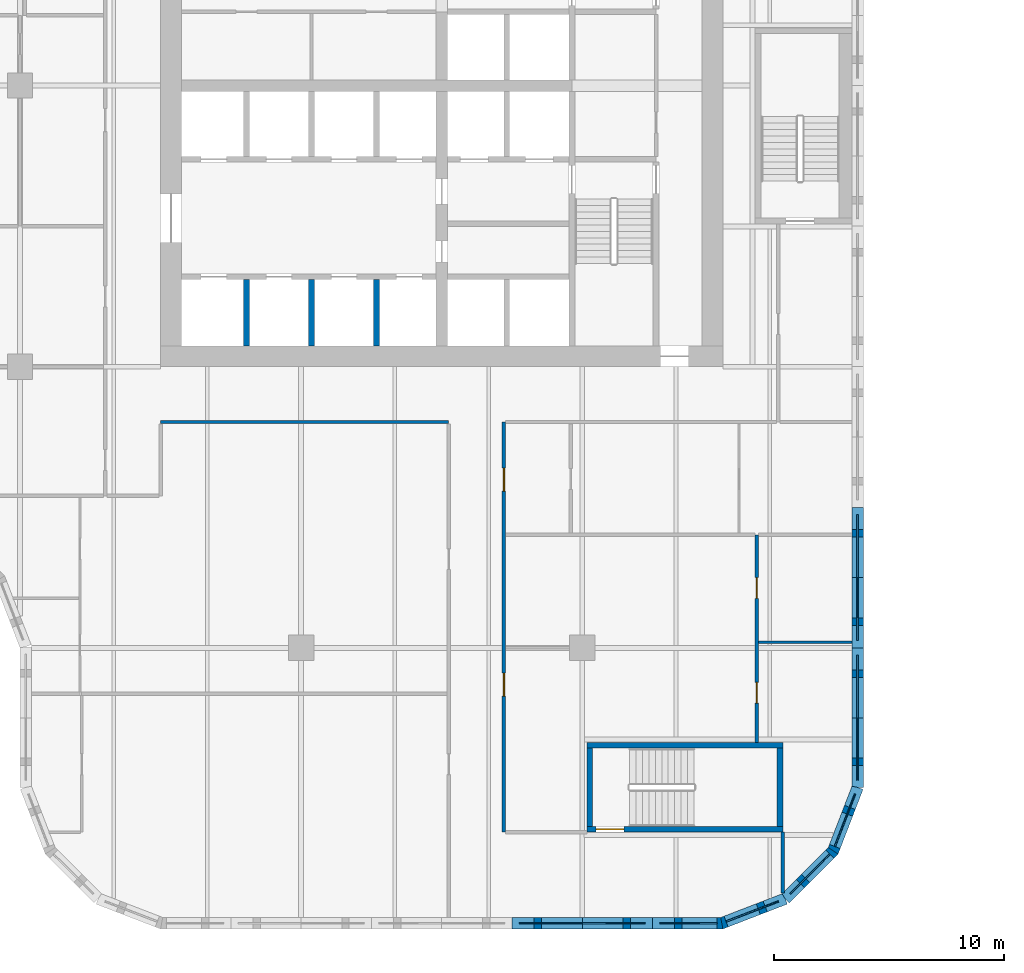
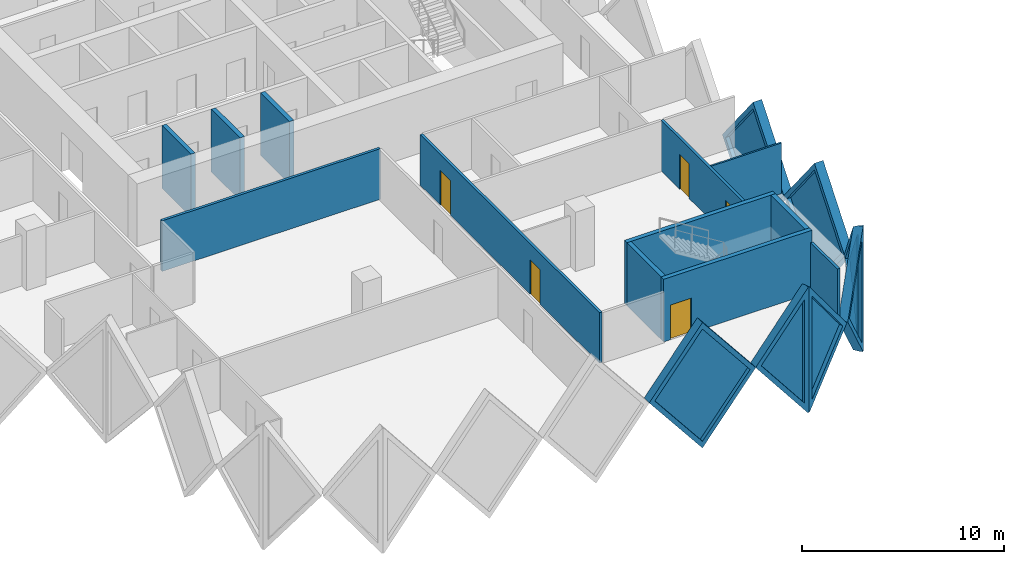
# One storey, part 6 of 19: 19 walls, 7 plates, 5 doors, 12 openings.
"""IFC4 building model written with IfcOpenShell, lengths in metres."""

from ifc_helpers import new_model, si_unit, direction, frame, frame_2d, origin, place, context, subcontext, project, spatial, polyline, rectangle, outline, extrude, faceted_brep, source, transform, mapped, material, layer, layer_set, type_object, element, fill, save


model = new_model("IFC4")

# Units and contexts
model_context = context("Model", 3, precision=1e-05, world=origin(), true_north=direction((0.0, 1.0)))
body_context = subcontext(model_context, "Body", "Model", "MODEL_VIEW")
ifc_project = project(units=[si_unit("LENGTHUNIT", "METRE"), si_unit("AREAUNIT", "SQUARE_METRE"), si_unit("VOLUMEUNIT", "CUBIC_METRE"), si_unit("PLANEANGLEUNIT", "RADIAN"), si_unit("MASSUNIT", "GRAM", prefix="KILO")], contexts=[model_context])

# Site, building, storey
site_placement = place(None, origin())
site = spatial("IfcSite", under=ifc_project, at=site_placement, CompositionType="ELEMENT")
building_placement = place(site_placement, origin())
building = spatial("IfcBuilding", under=site, at=building_placement, Name="Tessera Gate Towers", CompositionType="ELEMENT")
storey_placement = place(building_placement, frame((0.0, 0.0, 33.39990234375)))
storey = spatial("IfcBuildingStorey", under=building, at=storey_placement, Name="L07", CompositionType="ELEMENT", Elevation=33.39990234375)

# Walls
ifc_material_1 = material(Name="Concrete C40/50", Category="concrete")
ifc_layer_1 = layer(ifc_material_1, 0.25)
ifc_layer_set_1 = layer_set([ifc_layer_1], Name="CORE ENCLOSURE WALL 250")
wall_type_1 = type_object("IfcWallType", Name="CORE ENCLOSURE WALL 250", PredefinedType="SOLIDWALL", material=ifc_layer_set_1)
for number, where, z_axis, x_axis, name in (
    (1, (34.22509765625, 25.300048828125, 0.0), (0.0, 0.0, 1.0), (0.0, 1.0, 0.0), "L07 shaft and stair enclosure wall"),
    (2, (37.050048828125, 25.300048828125, 0.0), (0.0, 0.0, 1.0), (0.0, 1.0, 0.0), "L07 shaft and stair enclosure wall"),
    (3, (39.875, 25.300048828125, 0.0), (0.0, 0.0, 1.0), (0.0, 1.0, 0.0), "L07 shaft and stair enclosure wall"),
):
    element("IfcWall", number, at=place(storey_placement, frame(where, z_axis=z_axis, x_axis=x_axis)), inside=storey, type_object=wall_type_1, Name=name, PredefinedType="SOLIDWALL", context=body_context, shape_type="SweptSolid", body=[
        extrude(rectangle(XDim=2.875, YDim=0.25, at=frame_2d((1.4375, 0.0))), origin(), (0.0, 0.0, 1.0), 3.800048828125),
    ])

# Wall, opening, door
wall_1_placement = place(storey_placement, frame((57.5, 4.324951171875, 0.0), z_axis=(0.0, 0.0, 1.0), x_axis=(-1.0, 0.0, 0.0)))
wall_1 = element("IfcWall", 4, at=wall_1_placement, inside=storey, type_object=wall_type_1, Name="L07 ST4 enclosure wall", PredefinedType="SOLIDWALL", context=body_context, shape_type="SweptSolid", body=[
    extrude(rectangle(XDim=8.5, YDim=0.25, at=frame_2d((4.25, 0.0))), origin(), (0.0, 0.0, 1.0), 3.800048828125),
])
shared_shape_1 = source(origin(), body_context, "Body", "SweptSolid", [
    extrude(rectangle(XDim=1.199951171875, YDim=2.10009765625, at=frame_2d((0.60009765625, 1.050048828125))), frame((0.0, 0.135009765625, 0.0), z_axis=(0.0, -1.0, 0.0), x_axis=(1.0, 0.0, 0.0)), (0.0, 0.0, 1.0), 0.27001953125),
])
opening_1_placement = place(wall_1_placement, frame((6.89990234375, 0.0, 0.0)))
opening_1 = element("IfcOpeningElement", 5, at=opening_1_placement, cuts=wall_1, Name="Opening SD-ST4-1", PredefinedType="OPENING", context=body_context, shape_type="MappedRepresentation", body=[
    mapped(shared_shape_1, transform((0.0, 0.0, 0.0), scale=1.0)),
])
ifc_material_2 = material(Name="Hollow steel fire door", Category="steel")
door_type_1 = type_object("IfcDoorType", Name="CORE DOOR SD 1200x2100", OperationType="NOTDEFINED", PredefinedType="DOOR", material=ifc_material_2)
shared_shape_2 = source(origin(), body_context, "Body", "SweptSolid", [
    extrude(rectangle(XDim=1.199951171875, YDim=2.10009765625, at=frame_2d((0.60009765625, 1.050048828125))), frame((0.0, 0.02490234375, 0.0), z_axis=(0.0, -1.0, 0.0), x_axis=(1.0, 0.0, 0.0)), (0.0, 0.0, 1.0), 0.050048828125),
])
door_1_placement = place(opening_1_placement, origin())
door_1 = element("IfcDoor", 6, at=door_1_placement, inside=storey, type_object=door_type_1, Name="Stair door", OperationType="SINGLE_SWING_RIGHT", OverallHeight=2.10009765625, OverallWidth=1.199951171875, PredefinedType="DOOR", context=body_context, shape_type="MappedRepresentation", body=[
    mapped(shared_shape_2, transform((0.0, 0.0, 0.0), scale=1.0)),
])
fill(opening_1, door_1)

# Walls
wall_2_placement = place(storey_placement, frame((49.125, 4.449951171875, 0.0), z_axis=(0.0, 0.0, 1.0), x_axis=(0.0, 1.0, 0.0)))
element("IfcWall", 7, at=wall_2_placement, inside=storey, type_object=wall_type_1, Name="L07 ST4 enclosure wall", PredefinedType="SOLIDWALL", context=body_context, shape_type="SweptSolid", body=[
    extrude(rectangle(XDim=3.400146484375, YDim=0.25, at=frame_2d((1.7001953125, 0.0))), origin(), (0.0, 0.0, 1.0), 3.800048828125),
])
wall_3_placement = place(storey_placement, frame((49.0, 7.97509765625, 0.0), z_axis=(0.0, 0.0, 1.0), x_axis=(1.0, 0.0, 0.0)))
element("IfcWall", 8, at=wall_3_placement, inside=storey, type_object=wall_type_1, Name="L07 ST4 enclosure wall", PredefinedType="SOLIDWALL", context=body_context, shape_type="SweptSolid", body=[
    extrude(rectangle(XDim=8.5, YDim=0.25, at=frame_2d((4.25, 0.0))), origin(), (0.0, 0.0, 1.0), 3.800048828125),
])
wall_4_placement = place(storey_placement, frame((57.375, 7.85009765625, 0.0), z_axis=(0.0, 0.0, 1.0), x_axis=(0.0, -1.0, 0.0)))
element("IfcWall", 9, at=wall_4_placement, inside=storey, type_object=wall_type_1, Name="L07 ST4 enclosure wall", PredefinedType="SOLIDWALL", context=body_context, shape_type="SweptSolid", body=[
    extrude(rectangle(XDim=3.400146484375, YDim=0.25, at=frame_2d((1.7001953125, 0.0))), origin(), (0.0, 0.0, 1.0), 3.800048828125),
])
ifc_material_3 = material(Name="Gypsum board on steel studs, mineral wool", Category="steel")
ifc_layer_2 = layer(ifc_material_3, 0.14990234375)
ifc_layer_set_2 = layer_set([ifc_layer_2], Name="CORRIDOR WALL 150")
wall_type_2 = type_object("IfcWallType", Name="CORRIDOR WALL 150", PredefinedType="PARTITIONING", material=ifc_layer_set_2)
wall_5_placement = place(storey_placement, frame((57.5, 1.55908203125, 0.0), z_axis=(0.0, 0.0, 1.0), x_axis=(0.0, 1.0, 0.0)))
element("IfcWall", 10, at=wall_5_placement, inside=storey, type_object=wall_type_2, Name="T1-L07-PW-002", PredefinedType="PARTITIONING", context=body_context, shape_type="SweptSolid", body=[
    extrude(rectangle(XDim=2.640869140625, YDim=0.14990234375, at=frame_2d((1.3203125, 0.0))), origin(), (0.0, 0.0, 1.0), 3.067138671875),
])

# Wall, openings, doors
wall_6_placement = place(storey_placement, frame((45.39990234375, 22.0, 0.0), z_axis=(0.0, 0.0, 1.0), x_axis=(0.0, -1.0, 0.0)))
wall_6 = element("IfcWall", 11, at=wall_6_placement, inside=storey, type_object=wall_type_2, Name="T1-L07-PW-005", PredefinedType="PARTITIONING", context=body_context, shape_type="SweptSolid", body=[
    extrude(rectangle(XDim=17.800048828125, YDim=0.14990234375, at=frame_2d((8.89990234375, 0.0))), origin(), (0.0, 0.0, 1.0), 3.067138671875),
])
shared_shape_3 = source(origin(), body_context, "Body", "SweptSolid", [
    extrude(rectangle(XDim=1.0, YDim=2.10009765625, at=frame_2d((0.5, 1.050048828125))), frame((0.0, 0.0849609375, 0.0), z_axis=(0.0, -1.0, 0.0), x_axis=(1.0, 0.0, 0.0)), (0.0, 0.0, 1.0), 0.169921875),
])
opening_2_placement = place(wall_6_placement, frame((1.9990234375, 0.0, 0.0)))
opening_2 = element("IfcOpeningElement", 12, at=opening_2_placement, cuts=wall_6, Name="Opening D2100FD60-A02-02", PredefinedType="OPENING", context=body_context, shape_type="MappedRepresentation", body=[
    mapped(shared_shape_3, transform((0.0, 0.0, 0.0), scale=1.0)),
])
opening_3_placement = place(wall_6_placement, frame((10.89990234375, 0.0, 0.0)))
opening_3 = element("IfcOpeningElement", 13, at=opening_3_placement, cuts=wall_6, Name="Opening D2100FD60-A02-07", PredefinedType="OPENING", context=body_context, shape_type="MappedRepresentation", body=[
    mapped(shared_shape_3, transform((0.0, 0.0, 0.0), scale=1.0)),
])
ifc_material_4 = material(Name="Timber door leaf in steel frame", Category="steel")
door_type_2 = type_object("IfcDoorType", Name="TENANCY ENTRANCE DOOR 1000 FD60", OperationType="NOTDEFINED", PredefinedType="DOOR", material=ifc_material_4)
shared_shape_4 = source(origin(), body_context, "Body", "SweptSolid", [
    extrude(rectangle(XDim=1.0, YDim=2.10009765625, at=frame_2d((0.5, 1.050048828125))), frame((0.0, 0.02490234375, 0.0), z_axis=(0.0, -1.0, 0.0), x_axis=(1.0, 0.0, 0.0)), (0.0, 0.0, 1.0), 0.050048828125),
])
door_2_placement = place(opening_2_placement, origin())
door_2 = element("IfcDoor", 14, at=door_2_placement, inside=storey, type_object=door_type_2, Name="T1-L07-PD-013", OperationType="SINGLE_SWING_RIGHT", OverallHeight=2.10009765625, OverallWidth=1.0, PredefinedType="DOOR", context=body_context, shape_type="MappedRepresentation", body=[
    mapped(shared_shape_4, transform((0.0, 0.0, 0.0), scale=1.0)),
])
fill(opening_2, door_2)
door_3_placement = place(opening_3_placement, origin())
door_3 = element("IfcDoor", 15, at=door_3_placement, inside=storey, type_object=door_type_2, Name="T1-L07-PD-031", OperationType="SINGLE_SWING_RIGHT", OverallHeight=2.10009765625, OverallWidth=1.0, PredefinedType="DOOR", context=body_context, shape_type="MappedRepresentation", body=[
    mapped(shared_shape_4, transform((0.0, 0.0, 0.0), scale=1.0)),
])
fill(opening_3, door_3)

# Walls
wall_7_placement = place(storey_placement, frame((30.5, 22.0, 0.0), z_axis=(0.0, 0.0, 1.0), x_axis=(1.0, 0.0, 0.0)))
element("IfcWall", 16, at=wall_7_placement, inside=storey, type_object=wall_type_2, Name="T1-L07-PW-024", PredefinedType="PARTITIONING", context=body_context, shape_type="SweptSolid", body=[
    extrude(rectangle(XDim=12.5, YDim=0.14990234375, at=frame_2d((6.25, 0.0))), origin(), (0.0, 0.0, 1.0), 3.067138671875),
])
ifc_material_5 = material(Name="Gypsum board on steel studs", Category="steel")
ifc_layer_3 = layer(ifc_material_5, 0.10009765625)
ifc_layer_set_3 = layer_set([ifc_layer_3], Name="PARTITION 100")
wall_type_3 = type_object("IfcWallType", Name="PARTITION 100", PredefinedType="PARTITIONING", material=ifc_layer_set_3)
wall_8_placement = place(storey_placement, frame((56.450927734375, 12.447998046875, 0.0), z_axis=(0.0, 0.0, 1.0), x_axis=(1.0, 0.0, 0.0)))
element("IfcWall", 17, at=wall_8_placement, inside=storey, type_object=wall_type_3, Name="T1-L07-PW-012", PredefinedType="PARTITIONING", context=body_context, shape_type="SweptSolid", body=[
    extrude(rectangle(XDim=4.049072265625, YDim=0.10009765625, at=frame_2d((2.0244140625, 0.0))), origin(), (0.0, 0.0, 1.0), 3.067138671875),
])

# Wall, openings, doors
ifc_material_6 = material(Name="Gypsum board on steel studs, mineral wool", Category="steel")
ifc_layer_4 = layer(ifc_material_6, 0.14990234375)
ifc_layer_set_4 = layer_set([ifc_layer_4], Name="TENANCY WALL 150")
wall_type_4 = type_object("IfcWallType", Name="TENANCY WALL 150", PredefinedType="PARTITIONING", material=ifc_layer_set_4)
wall_9_placement = place(storey_placement, frame((56.375, 17.10009765625, 0.0), z_axis=(0.0, 0.0, 1.0), x_axis=(0.0, -1.0, 0.0)))
wall_9 = element("IfcWall", 18, at=wall_9_placement, inside=storey, type_object=wall_type_4, Name="T1-L07-PW-007", PredefinedType="PARTITIONING", context=body_context, shape_type="SweptSolid", body=[
    extrude(rectangle(XDim=9.0, YDim=0.14990234375, at=frame_2d((4.5, 0.0))), origin(), (0.0, 0.0, 1.0), 3.067138671875),
])
shared_shape_5 = source(origin(), body_context, "Body", "SweptSolid", [
    extrude(rectangle(XDim=0.89990234375, YDim=2.10009765625, at=frame_2d((0.449951171875, 1.050048828125))), frame((0.0, 0.0849609375, 0.0), z_axis=(0.0, -1.0, 0.0), x_axis=(1.0, 0.0, 0.0)), (0.0, 0.0, 1.0), 0.169921875),
])
opening_4_placement = place(wall_9_placement, frame((6.39990234375, 0.0, 0.0)))
opening_4 = element("IfcOpeningElement", 19, at=opening_4_placement, cuts=wall_9, Name="Opening D190-A02-05", PredefinedType="OPENING", context=body_context, shape_type="MappedRepresentation", body=[
    mapped(shared_shape_5, transform((0.0, 0.0, 0.0), scale=1.0)),
])
opening_5_placement = place(wall_9_placement, frame((1.852294921875, 0.0, 0.0)))
opening_5 = element("IfcOpeningElement", 20, at=opening_5_placement, cuts=wall_9, Name="Opening D190-A02-07", PredefinedType="OPENING", context=body_context, shape_type="MappedRepresentation", body=[
    mapped(shared_shape_5, transform((0.0, 0.0, 0.0), scale=1.0)),
])
ifc_material_7 = material(Name="Timber door leaf in steel frame", Category="steel")
door_type_3 = type_object("IfcDoorType", Name="INTERNAL DOOR 900 NOT RATED", OperationType="NOTDEFINED", PredefinedType="DOOR", material=ifc_material_7)
shared_shape_6 = source(origin(), body_context, "Body", "SweptSolid", [
    extrude(rectangle(XDim=0.89990234375, YDim=2.10009765625, at=frame_2d((0.449951171875, 1.050048828125))), frame((0.0, 0.02490234375, 0.0), z_axis=(0.0, -1.0, 0.0), x_axis=(1.0, 0.0, 0.0)), (0.0, 0.0, 1.0), 0.050048828125),
])
door_4_placement = place(opening_4_placement, origin())
door_4 = element("IfcDoor", 21, at=door_4_placement, inside=storey, type_object=door_type_3, Name="T1-L07-PD-006", OperationType="SINGLE_SWING_RIGHT", OverallHeight=2.10009765625, OverallWidth=0.89990234375, PredefinedType="DOOR", context=body_context, shape_type="MappedRepresentation", body=[
    mapped(shared_shape_6, transform((0.0, 0.0, 0.0), scale=1.0)),
])
fill(opening_4, door_4)
door_5_placement = place(opening_5_placement, origin())
door_5 = element("IfcDoor", 22, at=door_5_placement, inside=storey, type_object=door_type_3, Name="T1-L07-PD-008", OperationType="SINGLE_SWING_RIGHT", OverallHeight=2.10009765625, OverallWidth=0.89990234375, PredefinedType="DOOR", context=body_context, shape_type="MappedRepresentation", body=[
    mapped(shared_shape_6, transform((0.0, 0.0, 0.0), scale=1.0)),
])
fill(opening_5, door_5)

# Wall, opening, plate
ifc_material_8 = material(Name="Precast concrete C60/75 white", Category="concrete")
ifc_layer_5 = layer(ifc_material_8, 0.5)
ifc_layer_set_5 = layer_set([ifc_layer_5], Name="TS1 tessera")
wall_type_5 = type_object("IfcWallType", Name="TS1 tessera", PredefinedType="SOLIDWALL", material=ifc_layer_set_5)
shared_shape_7 = source(origin(), body_context, "Body", "SweptSolid", [
    extrude(outline(polyline([(3.050048828125, 0.0), (6.10009765625, 3.7998046875), (3.050048828125, 7.599853515625), (0.0, 3.7998046875), (3.050048828125, 0.0)])), frame((0.0, 0.25, 0.0), z_axis=(0.0, -1.0, 0.0), x_axis=(1.0, 0.0, 0.0)), (0.0, 0.0, 1.0), 0.5),
])
wall_10_placement = place(storey_placement, frame((45.75, 0.25, -3.7998046875), z_axis=(0.0, 0.0, 1.0), x_axis=(1.0, 0.0, 0.0)))
wall_10 = element("IfcWall", 23, at=wall_10_placement, inside=storey, type_object=wall_type_5, Name="Precast tessera T1 TS1-0048", PredefinedType="SOLIDWALL", context=body_context, shape_type="MappedRepresentation", body=[
    mapped(shared_shape_7, transform((0.0, 0.0, 0.0), scale=1.0)),
])
shared_shape_8 = source(origin(), body_context, "Body", "SweptSolid", [
    extrude(outline(polyline([(3.050048828125, 0.3994140625), (5.779541015625, 3.7998046875), (3.050048828125, 7.200439453125), (0.320556640625, 3.7998046875), (3.050048828125, 0.3994140625)])), frame((0.0, 0.260009765625, 0.0), z_axis=(0.0, -1.0, 0.0), x_axis=(1.0, 0.0, 0.0)), (0.0, 0.0, 1.0), 0.52001953125),
])
opening_6_placement = place(wall_10_placement, origin())
opening_6 = element("IfcOpeningElement", 24, at=opening_6_placement, cuts=wall_10, Name="Opening T1-PL2-0098", PredefinedType="OPENING", context=body_context, shape_type="MappedRepresentation", body=[
    mapped(shared_shape_8, transform((0.0, 0.0, 0.0), scale=1.0)),
])
ifc_material_9 = material(Name="Low-e laminated glass", Category="glass")
ifc_layer_6 = layer(ifc_material_9, 0.06005859375)
ifc_layer_set_6 = layer_set([ifc_layer_6], Name="PL2 rhombic pane")
plate_type = type_object("IfcPlateType", Name="PL2 rhombic pane", PredefinedType="SHEET", material=ifc_layer_set_6)
shared_shape_9 = source(origin(), body_context, "Body", "SweptSolid", [
    extrude(outline(polyline([(3.050048828125, 0.3994140625), (5.779541015625, 3.7998046875), (3.050048828125, 7.200439453125), (0.320556640625, 3.7998046875), (3.050048828125, 0.3994140625)])), frame((0.0, 0.030029296875, 0.0), z_axis=(0.0, -1.0, 0.0), x_axis=(1.0, 0.0, 0.0)), (0.0, 0.0, 1.0), 0.06005859375),
])
plate_1_placement = place(opening_6_placement, origin())
plate_1 = element("IfcPlate", 25, at=plate_1_placement, inside=storey, type_object=plate_type, Name="Glass pane T1 PL2-0098", PredefinedType="SHEET", context=body_context, shape_type="MappedRepresentation", body=[
    mapped(shared_shape_9, transform((0.0, 0.0, 0.0), scale=1.0)),
])
fill(opening_6, plate_1)

wall_11_placement = place(storey_placement, frame((60.75, 12.199951171875, -3.7998046875), z_axis=(0.0, 0.0, 1.0), x_axis=(0.0, 1.0, 0.0)))
wall_11 = element("IfcWall", 26, at=wall_11_placement, inside=storey, type_object=wall_type_5, Name="Precast tessera T1 TS1-0050", PredefinedType="SOLIDWALL", context=body_context, shape_type="MappedRepresentation", body=[
    mapped(shared_shape_7, transform((0.0, 0.0, 0.0), scale=1.0)),
])
opening_7_placement = place(wall_11_placement, origin())
opening_7 = element("IfcOpeningElement", 27, at=opening_7_placement, cuts=wall_11, Name="Opening T1-PL2-0104", PredefinedType="OPENING", context=body_context, shape_type="MappedRepresentation", body=[
    mapped(shared_shape_8, transform((0.0, 0.0, 0.0), scale=1.0)),
])
plate_2_placement = place(opening_7_placement, origin())
plate_2 = element("IfcPlate", 28, at=plate_2_placement, inside=storey, type_object=plate_type, Name="Glass pane T1 PL2-0104", PredefinedType="SHEET", context=body_context, shape_type="MappedRepresentation", body=[
    mapped(shared_shape_9, transform((0.0, 0.0, 0.0), scale=1.0)),
])
fill(opening_7, plate_2)

ifc_material_10 = material(Name="Precast concrete C60/75 white", Category="concrete")
ifc_layer_7 = layer(ifc_material_10, 0.5)
ifc_layer_set_7 = layer_set([ifc_layer_7], Name="TS3 corner tessera")
wall_type_6 = type_object("IfcWallType", Name="TS3 corner tessera", PredefinedType="SOLIDWALL", material=ifc_layer_set_7)
shared_shape_10 = source(origin(), body_context, "Body", "Brep", [
    faceted_brep([(3.00341796875, -0.25, 0.0), (3.050048828125, -0.25, 0.06005859375), (3.050048828125, -0.25, 7.539794921875), (3.00341796875, -0.25, 7.599853515625), (0.0, -0.25, 3.7998046875), (0.0, 0.25, 3.7998046875), (2.956787109375, 0.25, 7.541015625), (2.956787109375, 0.25, 0.058837890625), (3.00341796875, 0.000244140625, 0.0), (3.00341796875, 0.000244140625, 7.599853515625)], [[[0, 1, 2, 3, 4]], [[5, 6, 7]], [[1, 0, 8]], [[9, 3, 2]], [[6, 5, 4, 3, 9]], [[5, 7, 8, 0, 4]], [[1, 8, 7, 6, 9, 2]]]),
])
wall_12_placement = place(storey_placement, frame((51.85009765625, 0.25, -3.7998046875), z_axis=(0.0, 0.0, 1.0), x_axis=(1.0, 0.0, 0.0)))
wall_12 = element("IfcWall", 29, at=wall_12_placement, inside=storey, type_object=wall_type_6, Name="Precast corner tessera T1 TS3-0123", PredefinedType="SOLIDWALL", context=body_context, shape_type="MappedRepresentation", body=[
    mapped(shared_shape_10, transform((0.0, 0.0, 0.0), scale=1.0)),
])
shared_shape_11 = source(origin(), body_context, "Body", "SweptSolid", [
    extrude(outline(polyline([(2.803466796875, 6.943603515625), (0.318603515625, 3.7998046875), (2.803466796875, 0.656005859375), (2.803466796875, 6.943603515625)])), frame((0.0, 0.260009765625, 0.0), z_axis=(0.0, -1.0, 0.0), x_axis=(1.0, 0.0, 0.0)), (0.0, 0.0, 1.0), 0.52001953125),
])
opening_8_placement = place(wall_12_placement, origin())
opening_8 = element("IfcOpeningElement", 30, at=opening_8_placement, cuts=wall_12, Name="Opening T1-PL2-0099", PredefinedType="OPENING", context=body_context, shape_type="MappedRepresentation", body=[
    mapped(shared_shape_11, transform((0.0, 0.0, 0.0), scale=1.0)),
])
shared_shape_12 = source(origin(), body_context, "Body", "SweptSolid", [
    extrude(outline(polyline([(2.803466796875, 6.943603515625), (0.318603515625, 3.7998046875), (2.803466796875, 0.656005859375), (2.803466796875, 6.943603515625)])), frame((0.0, 0.030029296875, 0.0), z_axis=(0.0, -1.0, 0.0), x_axis=(1.0, 0.0, 0.0)), (0.0, 0.0, 1.0), 0.06005859375),
])
plate_3_placement = place(opening_8_placement, origin())
plate_3 = element("IfcPlate", 31, at=plate_3_placement, inside=storey, type_object=plate_type, Name="Glass pane T1 PL2-0099", PredefinedType="SHEET", context=body_context, shape_type="MappedRepresentation", body=[
    mapped(shared_shape_12, transform((0.0, 0.0, 0.0), scale=1.0)),
])
fill(opening_8, plate_3)

shared_shape_13 = source(origin(), body_context, "Body", "Brep", [
    faceted_brep([(0.046630859375, -0.25, 0.0), (2.9970703125, -0.25, 3.7998046875), (0.046630859375, -0.25, 7.599853515625), (0.0, -0.25, 7.541015625), (0.0, -0.25, 0.058837890625), (0.09326171875, 0.25, 7.539794921875), (2.9443359375, 0.25, 3.867919921875), (2.9443359375, 0.25, 3.731689453125), (0.09326171875, 0.25, 0.06005859375), (2.9970703125, 0.00048828125, 3.7998046875), (0.046630859375, 0.0, 0.0), (0.046630859375, 0.0, 7.599853515625)], [[[0, 1, 2, 3, 4]], [[5, 6, 7, 8]], [[8, 7, 9, 1, 0, 10]], [[6, 5, 11, 2, 1, 9]], [[3, 2, 11]], [[10, 0, 4]], [[8, 10, 4, 3, 11, 5]], [[9, 7, 6]]]),
])
wall_13_placement = place(storey_placement, frame((54.81005859375, 0.233154296875, -3.7998046875), z_axis=(0.0, 0.0, 1.0), x_axis=(0.932990326376, 0.359901446078, 0.0)))
wall_13 = element("IfcWall", 32, at=wall_13_placement, inside=storey, type_object=wall_type_6, Name="Precast corner tessera T1 TS3-0124", PredefinedType="SOLIDWALL", context=body_context, shape_type="MappedRepresentation", body=[
    mapped(shared_shape_13, transform((0.0, 0.0, 0.0), scale=1.0)),
])
shared_shape_14 = source(origin(), body_context, "Body", "SweptSolid", [
    extrude(outline(polyline([(0.24658203125, 0.6650390625), (2.6806640625, 3.7998046875), (0.24658203125, 6.9345703125), (0.24658203125, 0.6650390625)])), frame((0.0, 0.260009765625, 0.0), z_axis=(0.0, -1.0, 0.0), x_axis=(1.0, 0.0, 0.0)), (0.0, 0.0, 1.0), 0.52001953125),
])
opening_9_placement = place(wall_13_placement, origin())
opening_9 = element("IfcOpeningElement", 33, at=opening_9_placement, cuts=wall_13, Name="Opening T1-PL2-0100", PredefinedType="OPENING", context=body_context, shape_type="MappedRepresentation", body=[
    mapped(shared_shape_14, transform((0.0, 0.0, 0.0), scale=1.0)),
])
shared_shape_15 = source(origin(), body_context, "Body", "SweptSolid", [
    extrude(outline(polyline([(0.24658203125, 0.6650390625), (2.6806640625, 3.7998046875), (0.24658203125, 6.9345703125), (0.24658203125, 0.6650390625)])), frame((0.0, 0.030029296875, 0.0), z_axis=(0.0, -1.0, 0.0), x_axis=(1.0, 0.0, 0.0)), (0.0, 0.0, 1.0), 0.06005859375),
])
plate_4_placement = place(opening_9_placement, origin())
plate_4 = element("IfcPlate", 34, at=plate_4_placement, inside=storey, type_object=plate_type, Name="Glass pane T1 PL2-0100", PredefinedType="SHEET", context=body_context, shape_type="MappedRepresentation", body=[
    mapped(shared_shape_15, transform((0.0, 0.0, 0.0), scale=1.0)),
])
fill(opening_9, plate_4)

shared_shape_16 = source(origin(), body_context, "Body", "Brep", [
    faceted_brep([(2.944091796875, -0.25, 0.0), (2.9970703125, -0.25, 0.068115234375), (2.9970703125, -0.25, 7.53173828125), (2.944091796875, -0.25, 7.599853515625), (0.0, -0.25, 3.7998046875), (0.052978515625, 0.25, 3.8681640625), (2.89111328125, 0.25, 7.53173828125), (2.89111328125, 0.25, 0.068115234375), (0.052978515625, 0.25, 3.7314453125), (2.944091796875, 0.000244140625, 0.0), (2.944091796875, 0.000244140625, 7.599853515625), (0.0, 0.0, 3.7998046875)], [[[0, 1, 2, 3, 4]], [[5, 6, 7, 8]], [[1, 0, 9]], [[10, 3, 2]], [[6, 5, 11, 4, 3, 10]], [[8, 7, 9, 0, 4, 11]], [[8, 11, 5]], [[1, 9, 7, 6, 10, 2]]]),
])
wall_14_placement = place(storey_placement, frame((57.606201171875, 1.31201171875, -3.7998046875), z_axis=(0.0, 0.0, 1.0), x_axis=(0.707147509625, 0.707066050402, 0.0)))
wall_14 = element("IfcWall", 35, at=wall_14_placement, inside=storey, type_object=wall_type_6, Name="Precast corner tessera T1 TS3-0125", PredefinedType="SOLIDWALL", context=body_context, shape_type="MappedRepresentation", body=[
    mapped(shared_shape_16, transform((0.0, 0.0, 0.0), scale=1.0)),
])
shared_shape_17 = source(origin(), body_context, "Body", "SweptSolid", [
    extrude(outline(polyline([(2.744140625, 6.93359375), (0.316162109375, 3.7998046875), (2.744140625, 0.666259765625), (2.744140625, 6.93359375)])), frame((0.0, 0.260009765625, 0.0), z_axis=(0.0, -1.0, 0.0), x_axis=(1.0, 0.0, 0.0)), (0.0, 0.0, 1.0), 0.52001953125),
])
opening_10_placement = place(wall_14_placement, origin())
opening_10 = element("IfcOpeningElement", 36, at=opening_10_placement, cuts=wall_14, Name="Opening T1-PL2-0101", PredefinedType="OPENING", context=body_context, shape_type="MappedRepresentation", body=[
    mapped(shared_shape_17, transform((0.0, 0.0, 0.0), scale=1.0)),
])
shared_shape_18 = source(origin(), body_context, "Body", "SweptSolid", [
    extrude(outline(polyline([(2.744140625, 6.93359375), (0.316162109375, 3.7998046875), (2.744140625, 0.666259765625), (2.744140625, 6.93359375)])), frame((0.0, 0.030029296875, 0.0), z_axis=(0.0, -1.0, 0.0), x_axis=(1.0, 0.0, 0.0)), (0.0, 0.0, 1.0), 0.06005859375),
])
plate_5_placement = place(opening_10_placement, origin())
plate_5 = element("IfcPlate", 37, at=plate_5_placement, inside=storey, type_object=plate_type, Name="Glass pane T1 PL2-0101", PredefinedType="SHEET", context=body_context, shape_type="MappedRepresentation", body=[
    mapped(shared_shape_18, transform((0.0, 0.0, 0.0), scale=1.0)),
])
fill(opening_10, plate_5)

shared_shape_19 = source(origin(), body_context, "Body", "Brep", [
    faceted_brep([(0.052978515625, -0.25, 0.0), (3.00341796875, -0.25, 3.7998046875), (0.052978515625, -0.25, 7.599853515625), (0.0, -0.25, 7.531494140625), (0.0, -0.25, 0.068359375), (0.10595703125, 0.25, 7.53173828125), (2.95703125, 0.25, 3.859619140625), (2.95703125, 0.25, 3.739990234375), (0.10595703125, 0.25, 0.068115234375), (3.00341796875, 0.00048828125, 3.7998046875), (0.052978515625, 0.0, 0.0), (0.052978515625, 0.0, 7.599853515625)], [[[0, 1, 2, 3, 4]], [[5, 6, 7, 8]], [[8, 7, 9, 1, 0, 10]], [[6, 5, 11, 2, 1, 9]], [[3, 2, 11]], [[10, 0, 4]], [[8, 10, 4, 3, 11, 5]], [[9, 7, 6]]]),
])
wall_15_placement = place(storey_placement, frame((59.6689453125, 3.34423828125, -3.7998046875), z_axis=(0.0, 0.0, 1.0), x_axis=(0.35992665181, 0.932980602862, 0.0)))
wall_15 = element("IfcWall", 38, at=wall_15_placement, inside=storey, type_object=wall_type_6, Name="Precast corner tessera T1 TS3-0126", PredefinedType="SOLIDWALL", context=body_context, shape_type="MappedRepresentation", body=[
    mapped(shared_shape_19, transform((0.0, 0.0, 0.0), scale=1.0)),
])
shared_shape_20 = source(origin(), body_context, "Body", "SweptSolid", [
    extrude(outline(polyline([(0.2529296875, 0.6650390625), (2.68701171875, 3.7998046875), (0.2529296875, 6.9345703125), (0.2529296875, 0.6650390625)])), frame((0.0, 0.260009765625, 0.0), z_axis=(0.0, -1.0, 0.0), x_axis=(1.0, 0.0, 0.0)), (0.0, 0.0, 1.0), 0.52001953125),
])
opening_11_placement = place(wall_15_placement, origin())
opening_11 = element("IfcOpeningElement", 39, at=opening_11_placement, cuts=wall_15, Name="Opening T1-PL2-0102", PredefinedType="OPENING", context=body_context, shape_type="MappedRepresentation", body=[
    mapped(shared_shape_20, transform((0.0, 0.0, 0.0), scale=1.0)),
])
shared_shape_21 = source(origin(), body_context, "Body", "SweptSolid", [
    extrude(outline(polyline([(0.2529296875, 0.6650390625), (2.68701171875, 3.7998046875), (0.2529296875, 6.9345703125), (0.2529296875, 0.6650390625)])), frame((0.0, 0.030029296875, 0.0), z_axis=(0.0, -1.0, 0.0), x_axis=(1.0, 0.0, 0.0)), (0.0, 0.0, 1.0), 0.06005859375),
])
plate_6_placement = place(opening_11_placement, origin())
plate_6 = element("IfcPlate", 40, at=plate_6_placement, inside=storey, type_object=plate_type, Name="Glass pane T1 PL2-0102", PredefinedType="SHEET", context=body_context, shape_type="MappedRepresentation", body=[
    mapped(shared_shape_21, transform((0.0, 0.0, 0.0), scale=1.0)),
])
fill(opening_11, plate_6)

shared_shape_22 = source(origin(), body_context, "Body", "Brep", [
    faceted_brep([(3.00341796875, -0.25, 0.0), (6.053466796875, -0.25, 3.7998046875), (3.00341796875, -0.25, 7.599853515625), (0.0, -0.25, 3.7998046875), (0.046630859375, 0.25, 3.858642578125), (3.00341796875, 0.25, 7.599853515625), (6.053466796875, 0.25, 3.7998046875), (3.00341796875, 0.25, 0.0), (0.046630859375, 0.25, 3.740966796875), (0.0, 0.0, 3.7998046875)], [[[0, 1, 2, 3]], [[4, 5, 6, 7, 8]], [[7, 6, 1, 0]], [[6, 5, 2, 1]], [[5, 4, 9, 3, 2]], [[8, 7, 0, 3, 9]], [[8, 9, 4]]]),
])
wall_16_placement = place(storey_placement, frame((60.75, 6.146484375, -3.7998046875), z_axis=(0.0, 0.0, 1.0), x_axis=(0.0, 1.0, 0.0)))
wall_16 = element("IfcWall", 41, at=wall_16_placement, inside=storey, type_object=wall_type_5, Name="Precast tessera T1 TS1-0049", PredefinedType="SOLIDWALL", context=body_context, shape_type="MappedRepresentation", body=[
    mapped(shared_shape_22, transform((0.0, 0.0, 0.0), scale=1.0)),
])
shared_shape_23 = source(origin(), body_context, "Body", "SweptSolid", [
    extrude(outline(polyline([(3.0048828125, 0.401123046875), (5.73291015625, 3.7998046875), (3.0048828125, 7.19873046875), (0.318603515625, 3.7998046875), (3.0048828125, 0.401123046875)])), frame((0.0, 0.260009765625, 0.0), z_axis=(0.0, -1.0, 0.0), x_axis=(1.0, 0.0, 0.0)), (0.0, 0.0, 1.0), 0.52001953125),
])
opening_12_placement = place(wall_16_placement, origin())
opening_12 = element("IfcOpeningElement", 42, at=opening_12_placement, cuts=wall_16, Name="Opening T1-PL2-0103", PredefinedType="OPENING", context=body_context, shape_type="MappedRepresentation", body=[
    mapped(shared_shape_23, transform((0.0, 0.0, 0.0), scale=1.0)),
])
shared_shape_24 = source(origin(), body_context, "Body", "SweptSolid", [
    extrude(outline(polyline([(3.0048828125, 0.401123046875), (5.73291015625, 3.7998046875), (3.0048828125, 7.19873046875), (0.318603515625, 3.7998046875), (3.0048828125, 0.401123046875)])), frame((0.0, 0.030029296875, 0.0), z_axis=(0.0, -1.0, 0.0), x_axis=(1.0, 0.0, 0.0)), (0.0, 0.0, 1.0), 0.06005859375),
])
plate_7_placement = place(opening_12_placement, origin())
plate_7 = element("IfcPlate", 43, at=plate_7_placement, inside=storey, type_object=plate_type, Name="Glass pane T1 PL2-0103", PredefinedType="SHEET", context=body_context, shape_type="MappedRepresentation", body=[
    mapped(shared_shape_24, transform((0.0, 0.0, 0.0), scale=1.0)),
])
fill(opening_12, plate_7)

save(model, "model.ifc")
